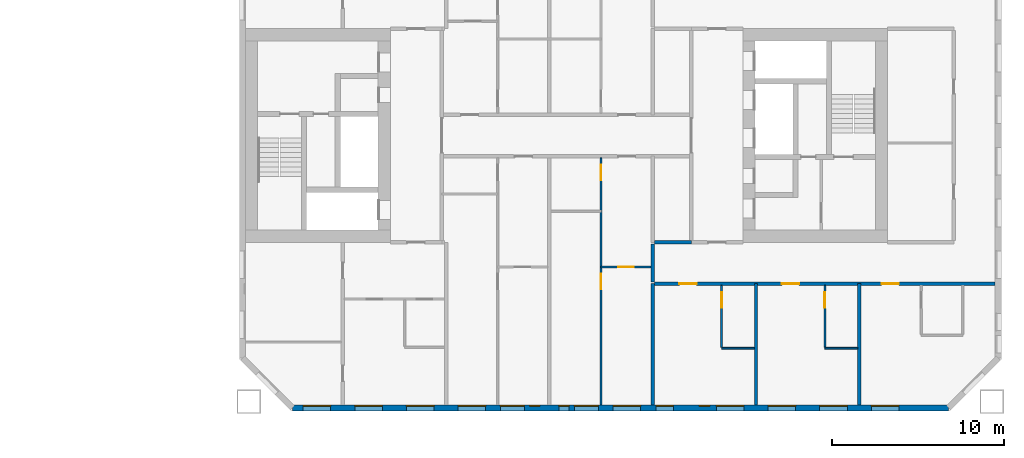
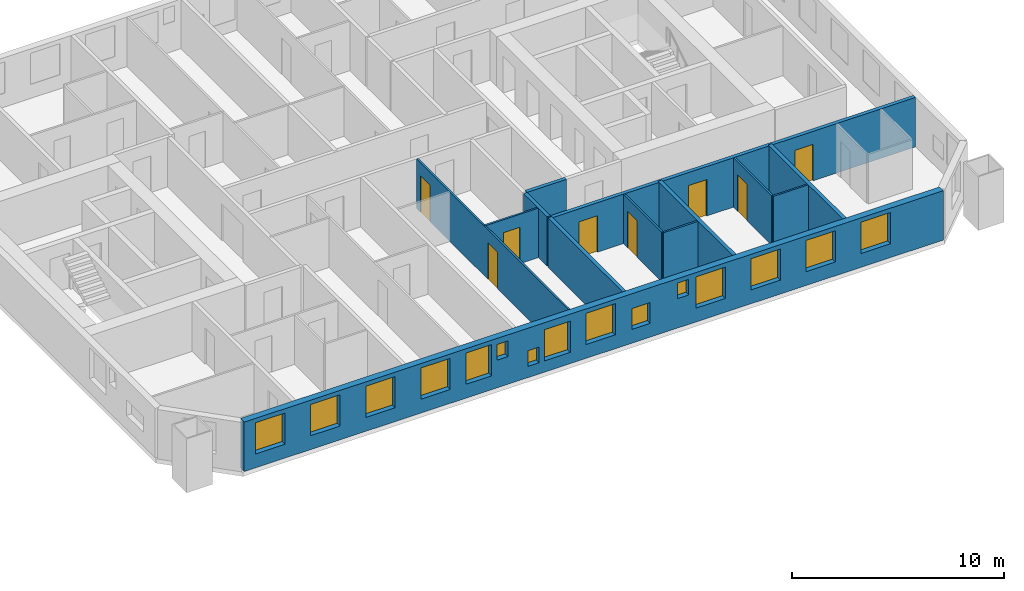
# One storey, part 11 of 17: 15 windows, 13 walls, 8 doors, 23 openings.
"""IFC4 building model written with IfcOpenShell, lengths in metres."""

from ifc_helpers import new_model, si_unit, direction, frame, frame_2d, origin, place, context, subcontext, project, spatial, rectangle, extrude, material, layer, layer_set, type_object, element, fill, save


model = new_model("IFC4")

# Units and contexts
model_context = context("Model", 3, precision=1e-05, world=origin(), true_north=direction((0.0, 1.0)))
body_context = subcontext(model_context, "Body", "Model", "MODEL_VIEW")
ifc_project = project(units=[si_unit("LENGTHUNIT", "METRE"), si_unit("AREAUNIT", "SQUARE_METRE"), si_unit("VOLUMEUNIT", "CUBIC_METRE"), si_unit("PLANEANGLEUNIT", "RADIAN"), si_unit("MASSUNIT", "GRAM", prefix="KILO")], contexts=[model_context])

# Site, building, storey
site_placement = place(None, origin())
site = spatial("IfcSite", under=ifc_project, at=site_placement, CompositionType="ELEMENT")
building_placement = place(site_placement, origin())
building = spatial("IfcBuilding", under=site, at=building_placement, Name="Tuart Gate Housing", CompositionType="ELEMENT")
storey_placement = place(building_placement, frame((0.0, 0.0, 84.0)))
storey = spatial("IfcBuildingStorey", under=building, at=storey_placement, Name="L23", CompositionType="ELEMENT", Elevation=84.0)

# Wall, openings, windows
ifc_material_1 = material(Name="Brick", Category="masonry")
ifc_layer_1 = layer(ifc_material_1, 0.360107421875)
ifc_layer_set_1 = layer_set([ifc_layer_1], Name="Brick pier and spandrel wall 360")
wall_type_1 = type_object("IfcWallType", Name="Brick pier and spandrel wall 360", PredefinedType="STANDARD", material=ifc_layer_set_1)
wall_1_placement = place(storey_placement, frame((134.07470703125, 54.179931640625, 0.0), z_axis=(0.0, 0.0, 1.0), x_axis=(1.0, 0.0, 0.0)))
wall_1 = element("IfcWall", 1, at=wall_1_placement, inside=storey, type_object=wall_type_1, Name="External wall B-S L23", PredefinedType="STANDARD", context=body_context, shape_type="SweptSolid", body=[
    extrude(rectangle(XDim=38.100830078125, YDim=0.360107421875, at=frame_2d((19.05029296875, 0.0))), origin(), (0.0, 0.0, 1.0), 2.85009765625),
])
opening_1_placement = place(wall_1_placement, frame((0.62548828125, 0.0, 0.800048828125)))
opening_1 = element("IfcOpeningElement", 2, at=opening_1_placement, cuts=wall_1, Name="Opening W1", PredefinedType="OPENING", context=body_context, shape_type="SweptSolid", body=[
    extrude(rectangle(XDim=1.60009765625, YDim=1.800048828125, at=frame_2d((0.800048828125, 0.89990234375))), frame((0.0, 0.18994140625, 0.0), z_axis=(0.0, -1.0, 0.0), x_axis=(1.0, 0.0, 0.0)), (0.0, 0.0, 1.0), 0.380126953125),
])
opening_2_placement = place(wall_1_placement, frame((3.62548828125, 0.0, 0.800048828125)))
opening_2 = element("IfcOpeningElement", 3, at=opening_2_placement, cuts=wall_1, Name="Opening W1", PredefinedType="OPENING", context=body_context, shape_type="SweptSolid", body=[
    extrude(rectangle(XDim=1.60009765625, YDim=1.800048828125, at=frame_2d((0.800048828125, 0.89990234375))), frame((0.0, 0.18994140625, 0.0), z_axis=(0.0, -1.0, 0.0), x_axis=(1.0, 0.0, 0.0)), (0.0, 0.0, 1.0), 0.380126953125),
])
opening_3_placement = place(wall_1_placement, frame((6.62548828125, 0.0, 0.800048828125)))
opening_3 = element("IfcOpeningElement", 4, at=opening_3_placement, cuts=wall_1, Name="Opening W1", PredefinedType="OPENING", context=body_context, shape_type="SweptSolid", body=[
    extrude(rectangle(XDim=1.60009765625, YDim=1.800048828125, at=frame_2d((0.800048828125, 0.89990234375))), frame((0.0, 0.18994140625, 0.0), z_axis=(0.0, -1.0, 0.0), x_axis=(1.0, 0.0, 0.0)), (0.0, 0.0, 1.0), 0.380126953125),
])
opening_4_placement = place(wall_1_placement, frame((9.62548828125, 0.0, 0.800048828125)))
opening_4 = element("IfcOpeningElement", 5, at=opening_4_placement, cuts=wall_1, Name="Opening W1", PredefinedType="OPENING", context=body_context, shape_type="SweptSolid", body=[
    extrude(rectangle(XDim=1.60009765625, YDim=1.800048828125, at=frame_2d((0.800048828125, 0.89990234375))), frame((0.0, 0.18994140625, 0.0), z_axis=(0.0, -1.0, 0.0), x_axis=(1.0, 0.0, 0.0)), (0.0, 0.0, 1.0), 0.380126953125),
])
opening_5_placement = place(wall_1_placement, frame((12.075439453125, 0.0, 0.800048828125)))
opening_5 = element("IfcOpeningElement", 6, at=opening_5_placement, cuts=wall_1, Name="Opening W1A", PredefinedType="OPENING", context=body_context, shape_type="SweptSolid", body=[
    extrude(rectangle(XDim=1.39990234375, YDim=1.800048828125, at=frame_2d((0.699951171875, 0.89990234375))), frame((0.0, 0.18994140625, 0.0), z_axis=(0.0, -1.0, 0.0), x_axis=(1.0, 0.0, 0.0)), (0.0, 0.0, 1.0), 0.380126953125),
])
opening_6_placement = place(wall_1_placement, frame((15.475341796875, 0.0, 0.64990234375)))
opening_6 = element("IfcOpeningElement", 7, at=opening_6_placement, cuts=wall_1, Name="Opening W1W", PredefinedType="OPENING", context=body_context, shape_type="SweptSolid", body=[
    extrude(rectangle(XDim=0.60009765625, YDim=0.89990234375, at=frame_2d((0.300048828125, 0.449951171875))), frame((0.0, 0.18994140625, 0.0), z_axis=(0.0, -1.0, 0.0), x_axis=(1.0, 0.0, 0.0)), (0.0, 0.0, 1.0), 0.380126953125),
])
opening_7_placement = place(wall_1_placement, frame((18.62548828125, 0.0, 0.800048828125)))
opening_7 = element("IfcOpeningElement", 8, at=opening_7_placement, cuts=wall_1, Name="Opening W1", PredefinedType="OPENING", context=body_context, shape_type="SweptSolid", body=[
    extrude(rectangle(XDim=1.60009765625, YDim=1.800048828125, at=frame_2d((0.800048828125, 0.89990234375))), frame((0.0, 0.18994140625, 0.0), z_axis=(0.0, -1.0, 0.0), x_axis=(1.0, 0.0, 0.0)), (0.0, 0.0, 1.0), 0.380126953125),
])
opening_8_placement = place(wall_1_placement, frame((21.12548828125, 0.0, 0.800048828125)))
opening_8 = element("IfcOpeningElement", 9, at=opening_8_placement, cuts=wall_1, Name="Opening W1O", PredefinedType="OPENING", context=body_context, shape_type="SweptSolid", body=[
    extrude(rectangle(XDim=1.0, YDim=1.199951171875, at=frame_2d((0.5, 0.60009765625))), frame((0.0, 0.18994140625, 0.0), z_axis=(0.0, -1.0, 0.0), x_axis=(1.0, 0.0, 0.0)), (0.0, 0.0, 1.0), 0.380126953125),
])
opening_9_placement = place(wall_1_placement, frame((24.62548828125, 0.0, 0.800048828125)))
opening_9 = element("IfcOpeningElement", 10, at=opening_9_placement, cuts=wall_1, Name="Opening W1", PredefinedType="OPENING", context=body_context, shape_type="SweptSolid", body=[
    extrude(rectangle(XDim=1.60009765625, YDim=1.800048828125, at=frame_2d((0.800048828125, 0.89990234375))), frame((0.0, 0.18994140625, 0.0), z_axis=(0.0, -1.0, 0.0), x_axis=(1.0, 0.0, 0.0)), (0.0, 0.0, 1.0), 0.380126953125),
])
opening_10_placement = place(wall_1_placement, frame((27.62548828125, 0.0, 0.800048828125)))
opening_10 = element("IfcOpeningElement", 11, at=opening_10_placement, cuts=wall_1, Name="Opening W1", PredefinedType="OPENING", context=body_context, shape_type="SweptSolid", body=[
    extrude(rectangle(XDim=1.60009765625, YDim=1.800048828125, at=frame_2d((0.800048828125, 0.89990234375))), frame((0.0, 0.18994140625, 0.0), z_axis=(0.0, -1.0, 0.0), x_axis=(1.0, 0.0, 0.0)), (0.0, 0.0, 1.0), 0.380126953125),
])
opening_11_placement = place(wall_1_placement, frame((30.62548828125, 0.0, 0.800048828125)))
opening_11 = element("IfcOpeningElement", 12, at=opening_11_placement, cuts=wall_1, Name="Opening W1", PredefinedType="OPENING", context=body_context, shape_type="SweptSolid", body=[
    extrude(rectangle(XDim=1.60009765625, YDim=1.800048828125, at=frame_2d((0.800048828125, 0.89990234375))), frame((0.0, 0.18994140625, 0.0), z_axis=(0.0, -1.0, 0.0), x_axis=(1.0, 0.0, 0.0)), (0.0, 0.0, 1.0), 0.380126953125),
])
opening_12_placement = place(wall_1_placement, frame((33.62548828125, 0.0, 0.800048828125)))
opening_12 = element("IfcOpeningElement", 13, at=opening_12_placement, cuts=wall_1, Name="Opening W1", PredefinedType="OPENING", context=body_context, shape_type="SweptSolid", body=[
    extrude(rectangle(XDim=1.60009765625, YDim=1.800048828125, at=frame_2d((0.800048828125, 0.89990234375))), frame((0.0, 0.18994140625, 0.0), z_axis=(0.0, -1.0, 0.0), x_axis=(1.0, 0.0, 0.0)), (0.0, 0.0, 1.0), 0.380126953125),
])
opening_13_placement = place(wall_1_placement, frame((13.775390625, 0.0, 1.60009765625)))
opening_13 = element("IfcOpeningElement", 14, at=opening_13_placement, cuts=wall_1, Name="Opening W1W", PredefinedType="OPENING", context=body_context, shape_type="SweptSolid", body=[
    extrude(rectangle(XDim=0.60009765625, YDim=0.89990234375, at=frame_2d((0.300048828125, 0.449951171875))), frame((0.0, 0.18994140625, 0.0), z_axis=(0.0, -1.0, 0.0), x_axis=(1.0, 0.0, 0.0)), (0.0, 0.0, 1.0), 0.380126953125),
])
opening_14_placement = place(wall_1_placement, frame((16.37548828125, 0.0, 0.64990234375)))
opening_14 = element("IfcOpeningElement", 15, at=opening_14_placement, cuts=wall_1, Name="Opening W1A", PredefinedType="OPENING", context=body_context, shape_type="SweptSolid", body=[
    extrude(rectangle(XDim=1.39990234375, YDim=1.800048828125, at=frame_2d((0.699951171875, 0.89990234375))), frame((0.0, 0.18994140625, 0.0), z_axis=(0.0, -1.0, 0.0), x_axis=(1.0, 0.0, 0.0)), (0.0, 0.0, 1.0), 0.380126953125),
])
opening_15_placement = place(wall_1_placement, frame((23.62548828125, 0.0, 1.699951171875)))
opening_15 = element("IfcOpeningElement", 16, at=opening_15_placement, cuts=wall_1, Name="Opening W1W", PredefinedType="OPENING", context=body_context, shape_type="SweptSolid", body=[
    extrude(rectangle(XDim=0.60009765625, YDim=0.89990234375, at=frame_2d((0.300048828125, 0.449951171875))), frame((0.0, 0.18994140625, 0.0), z_axis=(0.0, -1.0, 0.0), x_axis=(1.0, 0.0, 0.0)), (0.0, 0.0, 1.0), 0.380126953125),
])
ifc_material_2 = material(Name="Aluminium frame with clear glass", Category="aluminium")
window_type_1 = type_object("IfcWindowType", Name="Punched window 1000 x 1200", PartitioningType="SINGLE_PANEL", PredefinedType="WINDOW", material=ifc_material_2)
window_1_placement = place(opening_8_placement, origin())
window_1 = element("IfcWindow", 17, at=window_1_placement, inside=storey, type_object=window_type_1, Name="Window W1O", OverallHeight=1.199951171875, OverallWidth=1.0, PartitioningType="SINGLE_PANEL", PredefinedType="WINDOW", context=body_context, shape_type="SweptSolid", body=[
    extrude(rectangle(XDim=1.0, YDim=1.199951171875, at=frame_2d((0.5, 0.60009765625))), frame((0.0, 0.150146484375, 0.0), z_axis=(0.0, -1.0, 0.0), x_axis=(1.0, 0.0, 0.0)), (0.0, 0.0, 1.0), 0.06005859375),
])
fill(opening_8, window_1)
ifc_material_3 = material(Name="Aluminium frame with clear glass", Category="aluminium")
window_type_2 = type_object("IfcWindowType", Name="Punched window 1400 x 1800", PartitioningType="SINGLE_PANEL", PredefinedType="WINDOW", material=ifc_material_3)
window_2_placement = place(opening_5_placement, origin())
window_2 = element("IfcWindow", 18, at=window_2_placement, inside=storey, type_object=window_type_2, Name="Window W1A", OverallHeight=1.800048828125, OverallWidth=1.39990234375, PartitioningType="SINGLE_PANEL", PredefinedType="WINDOW", context=body_context, shape_type="SweptSolid", body=[
    extrude(rectangle(XDim=1.39990234375, YDim=1.800048828125, at=frame_2d((0.699951171875, 0.89990234375))), frame((0.0, 0.150146484375, 0.0), z_axis=(0.0, -1.0, 0.0), x_axis=(1.0, 0.0, 0.0)), (0.0, 0.0, 1.0), 0.06005859375),
])
fill(opening_5, window_2)
window_3_placement = place(opening_14_placement, origin())
window_3 = element("IfcWindow", 19, at=window_3_placement, inside=storey, type_object=window_type_2, Name="Window W1A", OverallHeight=1.800048828125, OverallWidth=1.39990234375, PartitioningType="SINGLE_PANEL", PredefinedType="WINDOW", context=body_context, shape_type="SweptSolid", body=[
    extrude(rectangle(XDim=1.39990234375, YDim=1.800048828125, at=frame_2d((0.699951171875, 0.89990234375))), frame((0.0, 0.150146484375, 0.0), z_axis=(0.0, -1.0, 0.0), x_axis=(1.0, 0.0, 0.0)), (0.0, 0.0, 1.0), 0.06005859375),
])
fill(opening_14, window_3)
ifc_material_4 = material(Name="Aluminium frame with clear glass", Category="aluminium")
window_type_3 = type_object("IfcWindowType", Name="Punched window 1600 x 1800", PartitioningType="SINGLE_PANEL", PredefinedType="WINDOW", material=ifc_material_4)
window_4_placement = place(opening_1_placement, origin())
window_4 = element("IfcWindow", 20, at=window_4_placement, inside=storey, type_object=window_type_3, Name="Window W1", OverallHeight=1.800048828125, OverallWidth=1.60009765625, PartitioningType="SINGLE_PANEL", PredefinedType="WINDOW", context=body_context, shape_type="SweptSolid", body=[
    extrude(rectangle(XDim=1.60009765625, YDim=1.800048828125, at=frame_2d((0.800048828125, 0.89990234375))), frame((0.0, 0.150146484375, 0.0), z_axis=(0.0, -1.0, 0.0), x_axis=(1.0, 0.0, 0.0)), (0.0, 0.0, 1.0), 0.06005859375),
])
fill(opening_1, window_4)
window_5_placement = place(opening_2_placement, origin())
window_5 = element("IfcWindow", 21, at=window_5_placement, inside=storey, type_object=window_type_3, Name="Window W1", OverallHeight=1.800048828125, OverallWidth=1.60009765625, PartitioningType="SINGLE_PANEL", PredefinedType="WINDOW", context=body_context, shape_type="SweptSolid", body=[
    extrude(rectangle(XDim=1.60009765625, YDim=1.800048828125, at=frame_2d((0.800048828125, 0.89990234375))), frame((0.0, 0.150146484375, 0.0), z_axis=(0.0, -1.0, 0.0), x_axis=(1.0, 0.0, 0.0)), (0.0, 0.0, 1.0), 0.06005859375),
])
fill(opening_2, window_5)
window_6_placement = place(opening_3_placement, origin())
window_6 = element("IfcWindow", 22, at=window_6_placement, inside=storey, type_object=window_type_3, Name="Window W1", OverallHeight=1.800048828125, OverallWidth=1.60009765625, PartitioningType="SINGLE_PANEL", PredefinedType="WINDOW", context=body_context, shape_type="SweptSolid", body=[
    extrude(rectangle(XDim=1.60009765625, YDim=1.800048828125, at=frame_2d((0.800048828125, 0.89990234375))), frame((0.0, 0.150146484375, 0.0), z_axis=(0.0, -1.0, 0.0), x_axis=(1.0, 0.0, 0.0)), (0.0, 0.0, 1.0), 0.06005859375),
])
fill(opening_3, window_6)
window_7_placement = place(opening_4_placement, origin())
window_7 = element("IfcWindow", 23, at=window_7_placement, inside=storey, type_object=window_type_3, Name="Window W1", OverallHeight=1.800048828125, OverallWidth=1.60009765625, PartitioningType="SINGLE_PANEL", PredefinedType="WINDOW", context=body_context, shape_type="SweptSolid", body=[
    extrude(rectangle(XDim=1.60009765625, YDim=1.800048828125, at=frame_2d((0.800048828125, 0.89990234375))), frame((0.0, 0.150146484375, 0.0), z_axis=(0.0, -1.0, 0.0), x_axis=(1.0, 0.0, 0.0)), (0.0, 0.0, 1.0), 0.06005859375),
])
fill(opening_4, window_7)
window_8_placement = place(opening_7_placement, origin())
window_8 = element("IfcWindow", 24, at=window_8_placement, inside=storey, type_object=window_type_3, Name="Window W1", OverallHeight=1.800048828125, OverallWidth=1.60009765625, PartitioningType="SINGLE_PANEL", PredefinedType="WINDOW", context=body_context, shape_type="SweptSolid", body=[
    extrude(rectangle(XDim=1.60009765625, YDim=1.800048828125, at=frame_2d((0.800048828125, 0.89990234375))), frame((0.0, 0.150146484375, 0.0), z_axis=(0.0, -1.0, 0.0), x_axis=(1.0, 0.0, 0.0)), (0.0, 0.0, 1.0), 0.06005859375),
])
fill(opening_7, window_8)
window_9_placement = place(opening_9_placement, origin())
window_9 = element("IfcWindow", 25, at=window_9_placement, inside=storey, type_object=window_type_3, Name="Window W1", OverallHeight=1.800048828125, OverallWidth=1.60009765625, PartitioningType="SINGLE_PANEL", PredefinedType="WINDOW", context=body_context, shape_type="SweptSolid", body=[
    extrude(rectangle(XDim=1.60009765625, YDim=1.800048828125, at=frame_2d((0.800048828125, 0.89990234375))), frame((0.0, 0.150146484375, 0.0), z_axis=(0.0, -1.0, 0.0), x_axis=(1.0, 0.0, 0.0)), (0.0, 0.0, 1.0), 0.06005859375),
])
fill(opening_9, window_9)
window_10_placement = place(opening_10_placement, origin())
window_10 = element("IfcWindow", 26, at=window_10_placement, inside=storey, type_object=window_type_3, Name="Window W1", OverallHeight=1.800048828125, OverallWidth=1.60009765625, PartitioningType="SINGLE_PANEL", PredefinedType="WINDOW", context=body_context, shape_type="SweptSolid", body=[
    extrude(rectangle(XDim=1.60009765625, YDim=1.800048828125, at=frame_2d((0.800048828125, 0.89990234375))), frame((0.0, 0.150146484375, 0.0), z_axis=(0.0, -1.0, 0.0), x_axis=(1.0, 0.0, 0.0)), (0.0, 0.0, 1.0), 0.06005859375),
])
fill(opening_10, window_10)
window_11_placement = place(opening_11_placement, origin())
window_11 = element("IfcWindow", 27, at=window_11_placement, inside=storey, type_object=window_type_3, Name="Window W1", OverallHeight=1.800048828125, OverallWidth=1.60009765625, PartitioningType="SINGLE_PANEL", PredefinedType="WINDOW", context=body_context, shape_type="SweptSolid", body=[
    extrude(rectangle(XDim=1.60009765625, YDim=1.800048828125, at=frame_2d((0.800048828125, 0.89990234375))), frame((0.0, 0.150146484375, 0.0), z_axis=(0.0, -1.0, 0.0), x_axis=(1.0, 0.0, 0.0)), (0.0, 0.0, 1.0), 0.06005859375),
])
fill(opening_11, window_11)
window_12_placement = place(opening_12_placement, origin())
window_12 = element("IfcWindow", 28, at=window_12_placement, inside=storey, type_object=window_type_3, Name="Window W1", OverallHeight=1.800048828125, OverallWidth=1.60009765625, PartitioningType="SINGLE_PANEL", PredefinedType="WINDOW", context=body_context, shape_type="SweptSolid", body=[
    extrude(rectangle(XDim=1.60009765625, YDim=1.800048828125, at=frame_2d((0.800048828125, 0.89990234375))), frame((0.0, 0.150146484375, 0.0), z_axis=(0.0, -1.0, 0.0), x_axis=(1.0, 0.0, 0.0)), (0.0, 0.0, 1.0), 0.06005859375),
])
fill(opening_12, window_12)
ifc_material_5 = material(Name="Aluminium frame with clear glass", Category="aluminium")
window_type_4 = type_object("IfcWindowType", Name="Punched window 600 x 900", PartitioningType="SINGLE_PANEL", PredefinedType="WINDOW", material=ifc_material_5)
window_13_placement = place(opening_6_placement, origin())
window_13 = element("IfcWindow", 29, at=window_13_placement, inside=storey, type_object=window_type_4, Name="Window W1W", OverallHeight=0.89990234375, OverallWidth=0.60009765625, PartitioningType="SINGLE_PANEL", PredefinedType="WINDOW", context=body_context, shape_type="SweptSolid", body=[
    extrude(rectangle(XDim=0.60009765625, YDim=0.89990234375, at=frame_2d((0.300048828125, 0.449951171875))), frame((0.0, 0.150146484375, 0.0), z_axis=(0.0, -1.0, 0.0), x_axis=(1.0, 0.0, 0.0)), (0.0, 0.0, 1.0), 0.06005859375),
])
fill(opening_6, window_13)
window_14_placement = place(opening_13_placement, origin())
window_14 = element("IfcWindow", 30, at=window_14_placement, inside=storey, type_object=window_type_4, Name="Window W1W", OverallHeight=0.89990234375, OverallWidth=0.60009765625, PartitioningType="SINGLE_PANEL", PredefinedType="WINDOW", context=body_context, shape_type="SweptSolid", body=[
    extrude(rectangle(XDim=0.60009765625, YDim=0.89990234375, at=frame_2d((0.300048828125, 0.449951171875))), frame((0.0, 0.150146484375, 0.0), z_axis=(0.0, -1.0, 0.0), x_axis=(1.0, 0.0, 0.0)), (0.0, 0.0, 1.0), 0.06005859375),
])
fill(opening_13, window_14)
window_15_placement = place(opening_15_placement, origin())
window_15 = element("IfcWindow", 31, at=window_15_placement, inside=storey, type_object=window_type_4, Name="Window W1W", OverallHeight=0.89990234375, OverallWidth=0.60009765625, PartitioningType="SINGLE_PANEL", PredefinedType="WINDOW", context=body_context, shape_type="SweptSolid", body=[
    extrude(rectangle(XDim=0.60009765625, YDim=0.89990234375, at=frame_2d((0.300048828125, 0.449951171875))), frame((0.0, 0.150146484375, 0.0), z_axis=(0.0, -1.0, 0.0), x_axis=(1.0, 0.0, 0.0)), (0.0, 0.0, 1.0), 0.06005859375),
])
fill(opening_15, window_15)

# Wall, openings, doors
ifc_material_6 = material(Name="Concrete masonry 15 MPa", Category="masonry")
ifc_layer_2 = layer(ifc_material_6, 0.199951171875)
ifc_layer_set_2 = layer_set([ifc_layer_2], Name="Corridor wall masonry 200")
wall_type_2 = type_object("IfcWallType", Name="Corridor wall masonry 200", PredefinedType="PARTITIONING", material=ifc_layer_set_2)
wall_2_placement = place(storey_placement, frame((155.10009765625, 61.39990234375, 0.0), z_axis=(0.0, 0.0, 1.0), x_axis=(1.0, 0.0, 0.0)))
wall_2 = element("IfcWall", 32, at=wall_2_placement, inside=storey, type_object=wall_type_2, Name="Corridor wall masonry 200", PredefinedType="PARTITIONING", context=body_context, shape_type="SweptSolid", body=[
    extrude(rectangle(XDim=19.789794921875, YDim=0.199951171875, at=frame_2d((9.89501953125, 0.0))), origin(), (0.0, 0.0, 1.0), 2.85009765625),
])
opening_16_placement = place(wall_2_placement, frame((1.449951171875, 0.0, 0.0)))
opening_16 = element("IfcOpeningElement", 33, at=opening_16_placement, cuts=wall_2, Name="Opening D1056", PredefinedType="OPENING", context=body_context, shape_type="SweptSolid", body=[
    extrude(rectangle(XDim=1.0, YDim=2.10009765625, at=frame_2d((0.5, 1.050048828125))), frame((0.0, 0.10986328125, 0.0), z_axis=(0.0, -1.0, 0.0), x_axis=(1.0, 0.0, 0.0)), (0.0, 0.0, 1.0), 0.219970703125),
])
opening_17_placement = place(wall_2_placement, frame((7.39990234375, 0.0, 0.0)))
opening_17 = element("IfcOpeningElement", 34, at=opening_17_placement, cuts=wall_2, Name="Opening D1057", PredefinedType="OPENING", context=body_context, shape_type="SweptSolid", body=[
    extrude(rectangle(XDim=1.0, YDim=2.10009765625, at=frame_2d((0.5, 1.050048828125))), frame((0.0, 0.10986328125, 0.0), z_axis=(0.0, -1.0, 0.0), x_axis=(1.0, 0.0, 0.0)), (0.0, 0.0, 1.0), 0.219970703125),
])
opening_18_placement = place(wall_2_placement, frame((13.199951171875, 0.0, 0.0)))
opening_18 = element("IfcOpeningElement", 35, at=opening_18_placement, cuts=wall_2, Name="Opening D1058", PredefinedType="OPENING", context=body_context, shape_type="SweptSolid", body=[
    extrude(rectangle(XDim=1.0, YDim=2.10009765625, at=frame_2d((0.5, 1.050048828125))), frame((0.0, 0.10986328125, 0.0), z_axis=(0.0, -1.0, 0.0), x_axis=(1.0, 0.0, 0.0)), (0.0, 0.0, 1.0), 0.219970703125),
])
ifc_material_7 = material(Name="Timber door leaf in steel frame", Category="steel")
door_type_1 = type_object("IfcDoorType", Name="Flat entrance door 1000", OperationType="SINGLE_SWING_LEFT", PredefinedType="DOOR", material=ifc_material_7)
door_1_placement = place(opening_16_placement, frame((1.0, 0.0, 0.0), z_axis=(0.0, 0.0, 1.0), x_axis=(-1.0, 0.0, 0.0)))
door_1 = element("IfcDoor", 36, at=door_1_placement, inside=storey, type_object=door_type_1, Name="Flat entrance door", OperationType="SINGLE_SWING_LEFT", OverallHeight=2.10009765625, OverallWidth=1.0, PredefinedType="DOOR", context=body_context, shape_type="SweptSolid", body=[
    extrude(rectangle(XDim=1.0, YDim=2.10009765625, at=frame_2d((0.5, 1.050048828125))), frame((0.0, 0.025146484375, 0.0), z_axis=(0.0, -1.0, 0.0), x_axis=(1.0, 0.0, 0.0)), (0.0, 0.0, 1.0), 0.050048828125),
])
fill(opening_16, door_1)
ifc_material_8 = material(Name="Timber door leaf in steel frame", Category="steel")
door_type_2 = type_object("IfcDoorType", Name="Flat entrance door 1000 RH", OperationType="SINGLE_SWING_RIGHT", PredefinedType="DOOR", material=ifc_material_8)
door_2_placement = place(opening_17_placement, frame((1.0, 0.0, 0.0), z_axis=(0.0, 0.0, 1.0), x_axis=(-1.0, 0.0, 0.0)))
door_2 = element("IfcDoor", 37, at=door_2_placement, inside=storey, type_object=door_type_2, Name="Flat entrance door", OperationType="SINGLE_SWING_RIGHT", OverallHeight=2.10009765625, OverallWidth=1.0, PredefinedType="DOOR", context=body_context, shape_type="SweptSolid", body=[
    extrude(rectangle(XDim=1.0, YDim=2.10009765625, at=frame_2d((0.5, 1.050048828125))), frame((0.0, 0.025146484375, 0.0), z_axis=(0.0, -1.0, 0.0), x_axis=(1.0, 0.0, 0.0)), (0.0, 0.0, 1.0), 0.050048828125),
])
fill(opening_17, door_2)
door_3_placement = place(opening_18_placement, frame((1.0, 0.0, 0.0), z_axis=(0.0, 0.0, 1.0), x_axis=(-1.0, 0.0, 0.0)))
door_3 = element("IfcDoor", 38, at=door_3_placement, inside=storey, type_object=door_type_2, Name="Flat entrance door", OperationType="SINGLE_SWING_RIGHT", OverallHeight=2.10009765625, OverallWidth=1.0, PredefinedType="DOOR", context=body_context, shape_type="SweptSolid", body=[
    extrude(rectangle(XDim=1.0, YDim=2.10009765625, at=frame_2d((0.5, 1.050048828125))), frame((0.0, 0.025146484375, 0.0), z_axis=(0.0, -1.0, 0.0), x_axis=(1.0, 0.0, 0.0)), (0.0, 0.0, 1.0), 0.050048828125),
])
fill(opening_18, door_3)

# Walls
wall_3_placement = place(storey_placement, frame((155.10009765625, 63.800048828125, 0.0), z_axis=(0.0, 0.0, 1.0), x_axis=(1.0, 0.0, 0.0)))
element("IfcWall", 39, at=wall_3_placement, inside=storey, type_object=wall_type_2, Name="Corridor wall masonry 200", PredefinedType="PARTITIONING", context=body_context, shape_type="SweptSolid", body=[
    extrude(rectangle(XDim=2.139892578125, YDim=0.199951171875, at=frame_2d((1.06982421875, 0.0))), origin(), (0.0, 0.0, 1.0), 2.85009765625),
])
wall_4_placement = place(storey_placement, frame((155.0, 61.5, 0.0), z_axis=(0.0, 0.0, 1.0), x_axis=(0.0, 1.0, 0.0)))
element("IfcWall", 40, at=wall_4_placement, inside=storey, type_object=wall_type_2, Name="Corridor wall masonry 200", PredefinedType="PARTITIONING", context=body_context, shape_type="SweptSolid", body=[
    extrude(rectangle(XDim=2.199951171875, YDim=0.199951171875, at=frame_2d((1.10009765625, 0.0))), origin(), (0.0, 0.0, 1.0), 2.85009765625),
])
ifc_material_9 = material(Name="Gypsum board on steel studs", Category="steel")
ifc_layer_3 = layer(ifc_material_9, 0.10009765625)
ifc_layer_set_3 = layer_set([ifc_layer_3], Name="Partition 100")
wall_type_3 = type_object("IfcWallType", Name="Partition 100", PredefinedType="PARTITIONING", material=ifc_layer_set_3)
for number, where, z_axis, x_axis, name in (
    (41, (159.0, 57.64990234375, 0.0), (0.0, 0.0, 1.0), (1.0, 0.0, 0.0), "Partition 100"),
    (42, (165.0, 57.64990234375, 0.0), (0.0, 0.0, 1.0), (1.0, 0.0, 0.0), "Partition 100"),
):
    element("IfcWall", number, at=place(storey_placement, frame(where, z_axis=z_axis, x_axis=x_axis)), inside=storey, type_object=wall_type_3, Name=name, PredefinedType="PARTITIONING", context=body_context, shape_type="SweptSolid", body=[
        extrude(rectangle(XDim=1.89990234375, YDim=0.10009765625, at=frame_2d((0.949951171875, 0.0))), origin(), (0.0, 0.0, 1.0), 2.85009765625),
    ])

# Wall, opening, door
wall_5_placement = place(storey_placement, frame((152.0, 62.360107421875, 0.0), z_axis=(0.0, 0.0, 1.0), x_axis=(1.0, 0.0, 0.0)))
wall_5 = element("IfcWall", 43, at=wall_5_placement, inside=storey, type_object=wall_type_3, Name="Partition 100", PredefinedType="PARTITIONING", context=body_context, shape_type="SweptSolid", body=[
    extrude(rectangle(XDim=2.89990234375, YDim=0.10009765625, at=frame_2d((1.449951171875, 0.0))), origin(), (0.0, 0.0, 1.0), 2.85009765625),
])
opening_19_placement = place(wall_5_placement, frame((1.0, 0.0, 0.0)))
opening_19 = element("IfcOpeningElement", 44, at=opening_19_placement, cuts=wall_5, Name="Opening D1051", PredefinedType="OPENING", context=body_context, shape_type="SweptSolid", body=[
    extrude(rectangle(XDim=0.89990234375, YDim=2.10009765625, at=frame_2d((0.449951171875, 1.050048828125))), frame((0.0, 0.06005859375, 0.0), z_axis=(0.0, -1.0, 0.0), x_axis=(1.0, 0.0, 0.0)), (0.0, 0.0, 1.0), 0.1201171875),
])
ifc_material_10 = material(Name="Timber door leaf in steel frame", Category="steel")
door_type_3 = type_object("IfcDoorType", Name="Internal door 900", OperationType="SINGLE_SWING_LEFT", PredefinedType="DOOR", material=ifc_material_10)
door_4_placement = place(opening_19_placement, origin())
door_4 = element("IfcDoor", 45, at=door_4_placement, inside=storey, type_object=door_type_3, Name="Internal door", OperationType="SINGLE_SWING_LEFT", OverallHeight=2.10009765625, OverallWidth=0.89990234375, PredefinedType="DOOR", context=body_context, shape_type="SweptSolid", body=[
    extrude(rectangle(XDim=0.89990234375, YDim=2.10009765625, at=frame_2d((0.449951171875, 1.050048828125))), frame((0.0, 0.02490234375, 0.0), z_axis=(0.0, -1.0, 0.0), x_axis=(1.0, 0.0, 0.0)), (0.0, 0.0, 1.0), 0.050048828125),
])
fill(opening_19, door_4)

# Wall, openings, doors
wall_6_placement = place(storey_placement, frame((152.0, 54.360107421875, 0.0), z_axis=(0.0, 0.0, 1.0), x_axis=(0.0, 1.0, 0.0)))
wall_6 = element("IfcWall", 46, at=wall_6_placement, inside=storey, type_object=wall_type_3, Name="Partition 100", PredefinedType="PARTITIONING", context=body_context, shape_type="SweptSolid", body=[
    extrude(rectangle(XDim=14.33984375, YDim=0.10009765625, at=frame_2d((7.169921875, 0.0))), origin(), (0.0, 0.0, 1.0), 2.85009765625),
])
opening_20_placement = place(wall_6_placement, frame((6.699951171875, 0.0, 0.0)))
opening_20 = element("IfcOpeningElement", 47, at=opening_20_placement, cuts=wall_6, Name="Opening D1055", PredefinedType="OPENING", context=body_context, shape_type="SweptSolid", body=[
    extrude(rectangle(XDim=0.89990234375, YDim=2.10009765625, at=frame_2d((0.449951171875, 1.050048828125))), frame((0.0, 0.06005859375, 0.0), z_axis=(0.0, -1.0, 0.0), x_axis=(1.0, 0.0, 0.0)), (0.0, 0.0, 1.0), 0.1201171875),
])
opening_21_placement = place(wall_6_placement, frame((13.0400390625, 0.0, 0.0)))
opening_21 = element("IfcOpeningElement", 48, at=opening_21_placement, cuts=wall_6, Name="Opening D1054", PredefinedType="OPENING", context=body_context, shape_type="SweptSolid", body=[
    extrude(rectangle(XDim=0.89990234375, YDim=2.10009765625, at=frame_2d((0.449951171875, 1.050048828125))), frame((0.0, 0.06005859375, 0.0), z_axis=(0.0, -1.0, 0.0), x_axis=(1.0, 0.0, 0.0)), (0.0, 0.0, 1.0), 0.1201171875),
])
ifc_material_11 = material(Name="Timber door leaf in steel frame", Category="steel")
door_type_4 = type_object("IfcDoorType", Name="Bathroom door 900 RH", OperationType="SINGLE_SWING_RIGHT", PredefinedType="DOOR", material=ifc_material_11)
door_5_placement = place(opening_21_placement, origin())
door_5 = element("IfcDoor", 49, at=door_5_placement, inside=storey, type_object=door_type_4, Name="Bathroom door", OperationType="SINGLE_SWING_RIGHT", OverallHeight=2.10009765625, OverallWidth=0.89990234375, PredefinedType="DOOR", context=body_context, shape_type="SweptSolid", body=[
    extrude(rectangle(XDim=0.89990234375, YDim=2.10009765625, at=frame_2d((0.449951171875, 1.050048828125))), frame((0.0, 0.02490234375, 0.0), z_axis=(0.0, -1.0, 0.0), x_axis=(1.0, 0.0, 0.0)), (0.0, 0.0, 1.0), 0.050048828125),
])
fill(opening_21, door_5)
ifc_material_12 = material(Name="Timber door leaf in steel frame", Category="steel")
door_type_5 = type_object("IfcDoorType", Name="Internal door 900 RH", OperationType="SINGLE_SWING_RIGHT", PredefinedType="DOOR", material=ifc_material_12)
door_6_placement = place(opening_20_placement, origin())
door_6 = element("IfcDoor", 50, at=door_6_placement, inside=storey, type_object=door_type_5, Name="Internal door", OperationType="SINGLE_SWING_RIGHT", OverallHeight=2.10009765625, OverallWidth=0.89990234375, PredefinedType="DOOR", context=body_context, shape_type="SweptSolid", body=[
    extrude(rectangle(XDim=0.89990234375, YDim=2.10009765625, at=frame_2d((0.449951171875, 1.050048828125))), frame((0.0, 0.02490234375, 0.0), z_axis=(0.0, -1.0, 0.0), x_axis=(1.0, 0.0, 0.0)), (0.0, 0.0, 1.0), 0.050048828125),
])
fill(opening_20, door_6)

# Wall, opening, door
wall_7_placement = place(storey_placement, frame((159.0, 57.699951171875, 0.0), z_axis=(0.0, 0.0, 1.0), x_axis=(0.0, 1.0, 0.0)))
wall_7 = element("IfcWall", 51, at=wall_7_placement, inside=storey, type_object=wall_type_3, Name="Partition 100", PredefinedType="PARTITIONING", context=body_context, shape_type="SweptSolid", body=[
    extrude(rectangle(XDim=3.60009765625, YDim=0.10009765625, at=frame_2d((1.800048828125, 0.0))), origin(), (0.0, 0.0, 1.0), 2.85009765625),
])
opening_22_placement = place(wall_7_placement, frame((2.300048828125, 0.0, 0.0)))
opening_22 = element("IfcOpeningElement", 52, at=opening_22_placement, cuts=wall_7, Name="Opening D1062", PredefinedType="OPENING", context=body_context, shape_type="SweptSolid", body=[
    extrude(rectangle(XDim=0.89990234375, YDim=2.10009765625, at=frame_2d((0.449951171875, 1.050048828125))), frame((0.0, 0.06005859375, 0.0), z_axis=(0.0, -1.0, 0.0), x_axis=(1.0, 0.0, 0.0)), (0.0, 0.0, 1.0), 0.1201171875),
])
ifc_material_13 = material(Name="Timber door leaf in steel frame", Category="steel")
door_type_6 = type_object("IfcDoorType", Name="Bathroom door 900", OperationType="SINGLE_SWING_LEFT", PredefinedType="DOOR", material=ifc_material_13)
door_7_placement = place(opening_22_placement, frame((0.89990234375, 0.0, 0.0), z_axis=(0.0, 0.0, 1.0), x_axis=(-1.0, 0.0, 0.0)))
door_7 = element("IfcDoor", 53, at=door_7_placement, inside=storey, type_object=door_type_6, Name="Bathroom door", OperationType="SINGLE_SWING_LEFT", OverallHeight=2.10009765625, OverallWidth=0.89990234375, PredefinedType="DOOR", context=body_context, shape_type="SweptSolid", body=[
    extrude(rectangle(XDim=0.89990234375, YDim=2.10009765625, at=frame_2d((0.449951171875, 1.050048828125))), frame((0.0, 0.025146484375, 0.0), z_axis=(0.0, -1.0, 0.0), x_axis=(1.0, 0.0, 0.0)), (0.0, 0.0, 1.0), 0.050048828125),
])
fill(opening_22, door_7)

wall_8_placement = place(storey_placement, frame((165.0, 57.699951171875, 0.0), z_axis=(0.0, 0.0, 1.0), x_axis=(0.0, 1.0, 0.0)))
wall_8 = element("IfcWall", 54, at=wall_8_placement, inside=storey, type_object=wall_type_3, Name="Partition 100", PredefinedType="PARTITIONING", context=body_context, shape_type="SweptSolid", body=[
    extrude(rectangle(XDim=3.60009765625, YDim=0.10009765625, at=frame_2d((1.800048828125, 0.0))), origin(), (0.0, 0.0, 1.0), 2.85009765625),
])
opening_23_placement = place(wall_8_placement, frame((2.300048828125, 0.0, 0.0)))
opening_23 = element("IfcOpeningElement", 55, at=opening_23_placement, cuts=wall_8, Name="Opening D1063", PredefinedType="OPENING", context=body_context, shape_type="SweptSolid", body=[
    extrude(rectangle(XDim=0.89990234375, YDim=2.10009765625, at=frame_2d((0.449951171875, 1.050048828125))), frame((0.0, 0.06005859375, 0.0), z_axis=(0.0, -1.0, 0.0), x_axis=(1.0, 0.0, 0.0)), (0.0, 0.0, 1.0), 0.1201171875),
])
door_8_placement = place(opening_23_placement, frame((0.89990234375, 0.0, 0.0), z_axis=(0.0, 0.0, 1.0), x_axis=(-1.0, 0.0, 0.0)))
door_8 = element("IfcDoor", 56, at=door_8_placement, inside=storey, type_object=door_type_6, Name="Bathroom door", OperationType="SINGLE_SWING_LEFT", OverallHeight=2.10009765625, OverallWidth=0.89990234375, PredefinedType="DOOR", context=body_context, shape_type="SweptSolid", body=[
    extrude(rectangle(XDim=0.89990234375, YDim=2.10009765625, at=frame_2d((0.449951171875, 1.050048828125))), frame((0.0, 0.025146484375, 0.0), z_axis=(0.0, -1.0, 0.0), x_axis=(1.0, 0.0, 0.0)), (0.0, 0.0, 1.0), 0.050048828125),
])
fill(opening_23, door_8)

# Walls
ifc_material_14 = material(Name="Concrete C40", Category="concrete")
ifc_layer_4 = layer(ifc_material_14, 0.199951171875)
ifc_layer_set_4 = layer_set([ifc_layer_4], Name="Party wall concrete C40 200")
wall_type_4 = type_object("IfcWallType", Name="Party wall concrete C40 200", PredefinedType="SOLIDWALL", material=ifc_layer_set_4)
for number, where, z_axis, x_axis, name in (
    (57, (155.0, 54.360107421875, 0.0), (0.0, 0.0, 1.0), (0.0, 1.0, 0.0), "Party wall concrete C40 200"),
    (58, (161.0, 54.360107421875, 0.0), (0.0, 0.0, 1.0), (0.0, 1.0, 0.0), "Party wall concrete C40 200"),
    (59, (167.0, 54.360107421875, 0.0), (0.0, 0.0, 1.0), (0.0, 1.0, 0.0), "Party wall concrete C40 200"),
):
    element("IfcWall", number, at=place(storey_placement, frame(where, z_axis=z_axis, x_axis=x_axis)), inside=storey, type_object=wall_type_4, Name=name, PredefinedType="SOLIDWALL", context=body_context, shape_type="SweptSolid", body=[
        extrude(rectangle(XDim=7.039794921875, YDim=0.199951171875, at=frame_2d((3.52001953125, 0.0))), origin(), (0.0, 0.0, 1.0), 2.85009765625),
    ])

save(model, "model.ifc")
